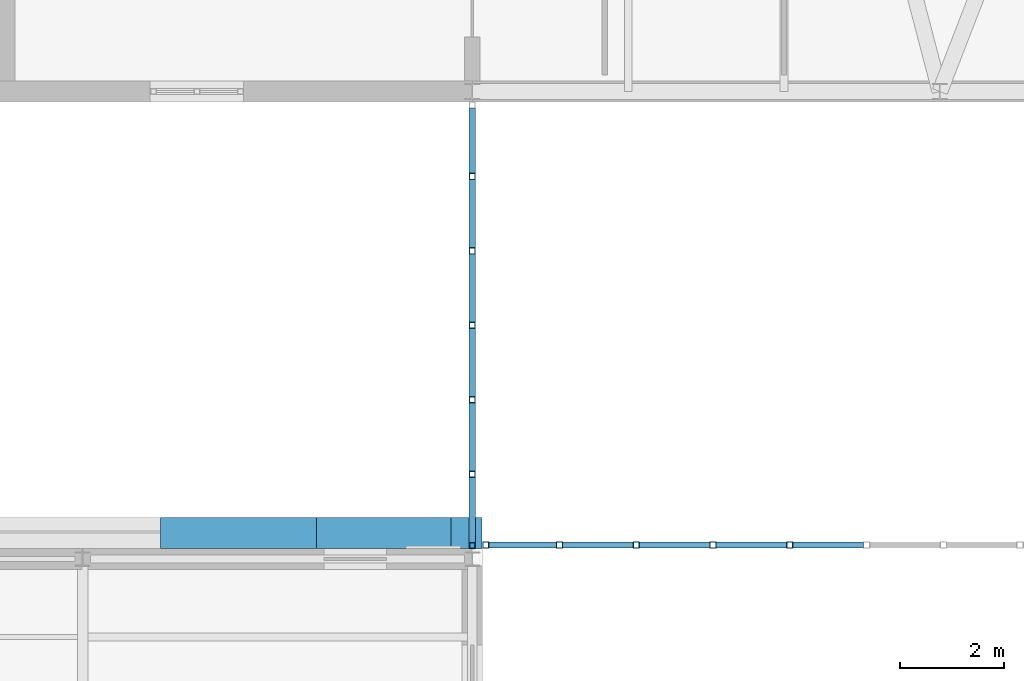
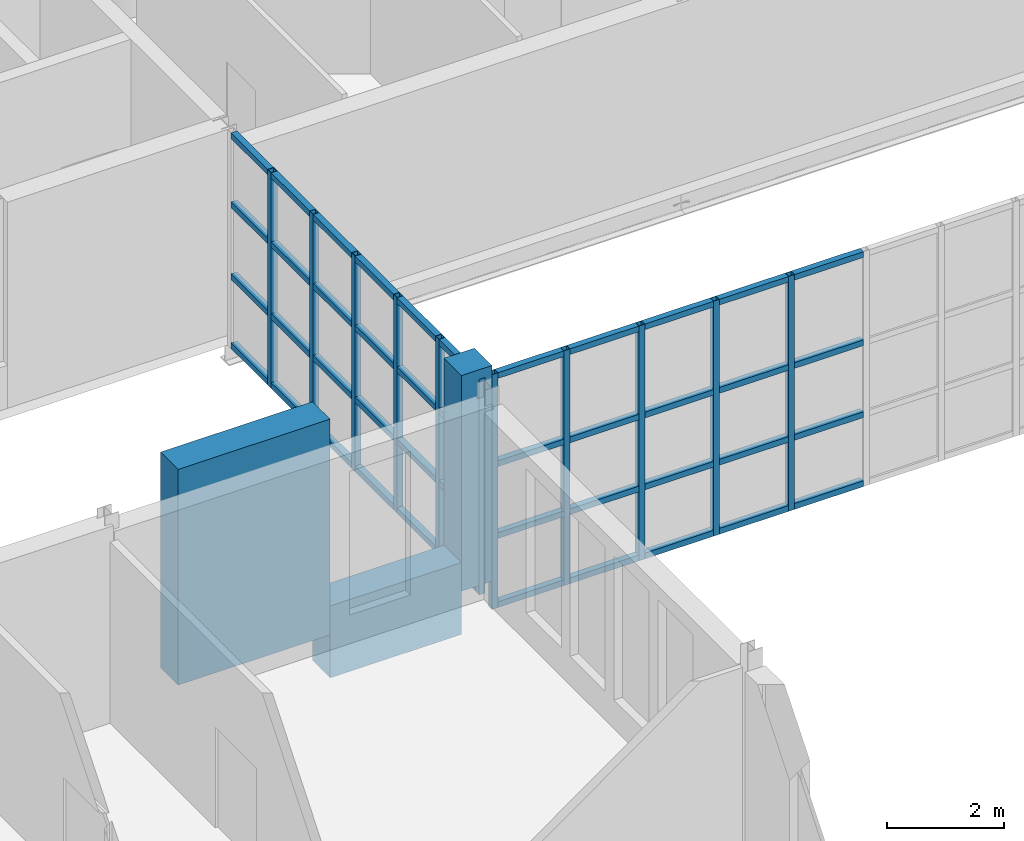
# One storey, part 42 of 134: 57 members, 1 beam, 2 elements without a shape of their own.
"""IFC4 building model written with IfcOpenShell, lengths in metres."""

from ifc_helpers import new_model, si_unit, direction, frame, origin, origin_2d, place, context, subcontext, project, spatial, rectangle, hollow_rectangle, extrude, material, material_profile, profile_set, type_object, element, aggregate, save


model = new_model("IFC4")

# Units and contexts
model_context = context("Model", 3, precision=1e-05, world=origin(), true_north=direction((0.0, 1.0)))
body_context = subcontext(model_context, "Body", "Model", "MODEL_VIEW")
ifc_project = project(units=[si_unit("LENGTHUNIT", "METRE"), si_unit("AREAUNIT", "SQUARE_METRE"), si_unit("VOLUMEUNIT", "CUBIC_METRE"), si_unit("PLANEANGLEUNIT", "RADIAN"), si_unit("MASSUNIT", "GRAM", prefix="KILO")], contexts=[model_context])

# Site, building, storey
site_placement = place(None, origin())
site = spatial("IfcSite", under=ifc_project, at=site_placement, CompositionType="ELEMENT")
building_placement = place(site_placement, origin())
building = spatial("IfcBuilding", under=site, at=building_placement, Name="Golden Quay Civic Hall", CompositionType="ELEMENT")
storey_placement = place(building_placement, frame((0.0, 0.0, 5.39990234375)))
storey = spatial("IfcBuildingStorey", under=building, at=storey_placement, Name="L01", CompositionType="ELEMENT", Elevation=5.39990234375)

# Curtain wall, members
ifc_material_1 = material(Name="Fire-resisting glass and steel", Category="steel")
curtain_wall_type_1 = type_object("IfcCurtainWallType", Name="Fire-resisting glazed curtain wall EI 120", PredefinedType="NOTDEFINED", material=ifc_material_1)
curtain_wall_1_placement = place(storey_placement, origin())
curtain_wall_1 = element("IfcCurtainWall", 1, at=curtain_wall_1_placement, inside=storey, type_object=curtain_wall_type_1, Name="CW3 curtain wall", PredefinedType="NOTDEFINED")
ifc_material_2 = material(Name="Steel S355", Category="steel")
ifc_material_profile_1 = material_profile(ifc_material_2, hollow_rectangle(XDim=0.1201171875, YDim=0.1201171875, WallThickness=0.008056640625, at=origin_2d()), Name="SHS 120x120x8")
ifc_profile_set_1 = profile_set([ifc_material_profile_1], Name="Steel S355")
member_type_1 = type_object("IfcMemberType", Name="Fire-resisting steel mullion SHS 120x120x8", PredefinedType="MULLION", material=ifc_profile_set_1)
member_1_placement = place(storey_placement, frame((72.260009765625, 54.27001953125, -0.599853515625), z_axis=(0.0, 0.0, 1.0), x_axis=(0.0, 1.0, 0.0)))
member_1 = element("IfcMember", 2, at=member_1_placement, type_object=member_type_1, Name="CW3 mullion 1", PredefinedType="MULLION", context=body_context, shape_type="SweptSolid", body=[
    extrude(hollow_rectangle(XDim=0.1201171875, YDim=0.1201171875, WallThickness=0.008056640625, at=origin_2d()), origin(), (0.0, 0.0, 1.0), 4.89990234375),
])
member_2_placement = place(storey_placement, frame((73.677734375, 54.27001953125, -0.599853515625), z_axis=(0.0, 0.0, 1.0), x_axis=(0.0, 1.0, 0.0)))
member_2 = element("IfcMember", 3, at=member_2_placement, type_object=member_type_1, Name="CW3 mullion 2", PredefinedType="MULLION", context=body_context, shape_type="SweptSolid", body=[
    extrude(hollow_rectangle(XDim=0.1201171875, YDim=0.1201171875, WallThickness=0.008056640625, at=origin_2d()), origin(), (0.0, 0.0, 1.0), 4.89990234375),
])
member_3_placement = place(storey_placement, frame((75.155517578125, 54.27001953125, -0.599853515625), z_axis=(0.0, 0.0, 1.0), x_axis=(0.0, 1.0, 0.0)))
member_3 = element("IfcMember", 4, at=member_3_placement, type_object=member_type_1, Name="CW3 mullion 3", PredefinedType="MULLION", context=body_context, shape_type="SweptSolid", body=[
    extrude(hollow_rectangle(XDim=0.1201171875, YDim=0.1201171875, WallThickness=0.008056640625, at=origin_2d()), origin(), (0.0, 0.0, 1.0), 4.89990234375),
])
member_4_placement = place(storey_placement, frame((76.63330078125, 54.27001953125, -0.599853515625), z_axis=(0.0, 0.0, 1.0), x_axis=(0.0, 1.0, 0.0)))
member_4 = element("IfcMember", 5, at=member_4_placement, type_object=member_type_1, Name="CW3 mullion 4", PredefinedType="MULLION", context=body_context, shape_type="SweptSolid", body=[
    extrude(hollow_rectangle(XDim=0.1201171875, YDim=0.1201171875, WallThickness=0.008056640625, at=origin_2d()), origin(), (0.0, 0.0, 1.0), 4.89990234375),
])
member_5_placement = place(storey_placement, frame((78.111083984375, 54.27001953125, -0.599853515625), z_axis=(0.0, 0.0, 1.0), x_axis=(0.0, 1.0, 0.0)))
member_5 = element("IfcMember", 6, at=member_5_placement, type_object=member_type_1, Name="CW3 mullion 5", PredefinedType="MULLION", context=body_context, shape_type="SweptSolid", body=[
    extrude(hollow_rectangle(XDim=0.1201171875, YDim=0.1201171875, WallThickness=0.008056640625, at=origin_2d()), origin(), (0.0, 0.0, 1.0), 4.89990234375),
])
ifc_material_3 = material(Name="Steel S355", Category="steel")
ifc_material_profile_2 = material_profile(ifc_material_3, hollow_rectangle(XDim=0.1201171875, YDim=0.1201171875, WallThickness=0.008056640625, at=origin_2d()), Name="SHS 120x120x8")
ifc_profile_set_2 = profile_set([ifc_material_profile_2], Name="Steel S355")
member_type_2 = type_object("IfcMemberType", Name="Fire-resisting steel transom SHS 120x120x8", PredefinedType="USERDEFINED", material=ifc_profile_set_2)
member_6_placement = place(storey_placement, frame((72.320068359375, 54.27001953125, -0.539794921875), z_axis=(1.0, 0.0, 0.0), x_axis=(0.0, 1.0, 0.0)))
member_6 = element("IfcMember", 7, at=member_6_placement, type_object=member_type_2, Name="CW3 transom 1.1", ObjectType="TRANSOM", PredefinedType="USERDEFINED", context=body_context, shape_type="SweptSolid", body=[
    extrude(hollow_rectangle(XDim=0.1201171875, YDim=0.1201171875, WallThickness=0.008056640625, at=origin_2d()), origin(), (0.0, 0.0, 1.0), 1.297607421875),
])
member_7_placement = place(storey_placement, frame((72.320068359375, 54.27001953125, 0.900146484375), z_axis=(1.0, 0.0, 0.0), x_axis=(0.0, 1.0, 0.0)))
member_7 = element("IfcMember", 8, at=member_7_placement, type_object=member_type_2, Name="CW3 transom 1.2", ObjectType="TRANSOM", PredefinedType="USERDEFINED", context=body_context, shape_type="SweptSolid", body=[
    extrude(hollow_rectangle(XDim=0.1201171875, YDim=0.1201171875, WallThickness=0.008056640625, at=origin_2d()), origin(), (0.0, 0.0, 1.0), 1.297607421875),
])
member_8_placement = place(storey_placement, frame((72.320068359375, 54.27001953125, 2.400146484375), z_axis=(1.0, 0.0, 0.0), x_axis=(0.0, 1.0, 0.0)))
member_8 = element("IfcMember", 9, at=member_8_placement, type_object=member_type_2, Name="CW3 transom 1.3", ObjectType="TRANSOM", PredefinedType="USERDEFINED", context=body_context, shape_type="SweptSolid", body=[
    extrude(hollow_rectangle(XDim=0.1201171875, YDim=0.1201171875, WallThickness=0.008056640625, at=origin_2d()), origin(), (0.0, 0.0, 1.0), 1.297607421875),
])
member_9_placement = place(storey_placement, frame((72.320068359375, 54.27001953125, 4.239990234375), z_axis=(1.0, 0.0, 0.0), x_axis=(0.0, 1.0, 0.0)))
member_9 = element("IfcMember", 10, at=member_9_placement, type_object=member_type_2, Name="CW3 transom 1.4", ObjectType="TRANSOM", PredefinedType="USERDEFINED", context=body_context, shape_type="SweptSolid", body=[
    extrude(hollow_rectangle(XDim=0.1201171875, YDim=0.1201171875, WallThickness=0.008056640625, at=origin_2d()), origin(), (0.0, 0.0, 1.0), 1.297607421875),
])
member_10_placement = place(storey_placement, frame((73.73779296875, 54.27001953125, -0.539794921875), z_axis=(1.0, 0.0, 0.0), x_axis=(0.0, 1.0, 0.0)))
member_10 = element("IfcMember", 11, at=member_10_placement, type_object=member_type_2, Name="CW3 transom 2.1", ObjectType="TRANSOM", PredefinedType="USERDEFINED", context=body_context, shape_type="SweptSolid", body=[
    extrude(hollow_rectangle(XDim=0.1201171875, YDim=0.1201171875, WallThickness=0.008056640625, at=origin_2d()), origin(), (0.0, 0.0, 1.0), 1.357666015625),
])
member_11_placement = place(storey_placement, frame((73.73779296875, 54.27001953125, 0.900146484375), z_axis=(1.0, 0.0, 0.0), x_axis=(0.0, 1.0, 0.0)))
member_11 = element("IfcMember", 12, at=member_11_placement, type_object=member_type_2, Name="CW3 transom 2.2", ObjectType="TRANSOM", PredefinedType="USERDEFINED", context=body_context, shape_type="SweptSolid", body=[
    extrude(hollow_rectangle(XDim=0.1201171875, YDim=0.1201171875, WallThickness=0.008056640625, at=origin_2d()), origin(), (0.0, 0.0, 1.0), 1.357666015625),
])
member_12_placement = place(storey_placement, frame((73.73779296875, 54.27001953125, 2.400146484375), z_axis=(1.0, 0.0, 0.0), x_axis=(0.0, 1.0, 0.0)))
member_12 = element("IfcMember", 13, at=member_12_placement, type_object=member_type_2, Name="CW3 transom 2.3", ObjectType="TRANSOM", PredefinedType="USERDEFINED", context=body_context, shape_type="SweptSolid", body=[
    extrude(hollow_rectangle(XDim=0.1201171875, YDim=0.1201171875, WallThickness=0.008056640625, at=origin_2d()), origin(), (0.0, 0.0, 1.0), 1.357666015625),
])
member_13_placement = place(storey_placement, frame((73.73779296875, 54.27001953125, 4.239990234375), z_axis=(1.0, 0.0, 0.0), x_axis=(0.0, 1.0, 0.0)))
member_13 = element("IfcMember", 14, at=member_13_placement, type_object=member_type_2, Name="CW3 transom 2.4", ObjectType="TRANSOM", PredefinedType="USERDEFINED", context=body_context, shape_type="SweptSolid", body=[
    extrude(hollow_rectangle(XDim=0.1201171875, YDim=0.1201171875, WallThickness=0.008056640625, at=origin_2d()), origin(), (0.0, 0.0, 1.0), 1.357666015625),
])
member_14_placement = place(storey_placement, frame((75.215576171875, 54.27001953125, -0.539794921875), z_axis=(1.0, 0.0, 0.0), x_axis=(0.0, 1.0, 0.0)))
member_14 = element("IfcMember", 15, at=member_14_placement, type_object=member_type_2, Name="CW3 transom 3.1", ObjectType="TRANSOM", PredefinedType="USERDEFINED", context=body_context, shape_type="SweptSolid", body=[
    extrude(hollow_rectangle(XDim=0.1201171875, YDim=0.1201171875, WallThickness=0.008056640625, at=origin_2d()), origin(), (0.0, 0.0, 1.0), 1.357666015625),
])
member_15_placement = place(storey_placement, frame((75.215576171875, 54.27001953125, 0.900146484375), z_axis=(1.0, 0.0, 0.0), x_axis=(0.0, 1.0, 0.0)))
member_15 = element("IfcMember", 16, at=member_15_placement, type_object=member_type_2, Name="CW3 transom 3.2", ObjectType="TRANSOM", PredefinedType="USERDEFINED", context=body_context, shape_type="SweptSolid", body=[
    extrude(hollow_rectangle(XDim=0.1201171875, YDim=0.1201171875, WallThickness=0.008056640625, at=origin_2d()), origin(), (0.0, 0.0, 1.0), 1.357666015625),
])
member_16_placement = place(storey_placement, frame((75.215576171875, 54.27001953125, 2.400146484375), z_axis=(1.0, 0.0, 0.0), x_axis=(0.0, 1.0, 0.0)))
member_16 = element("IfcMember", 17, at=member_16_placement, type_object=member_type_2, Name="CW3 transom 3.3", ObjectType="TRANSOM", PredefinedType="USERDEFINED", context=body_context, shape_type="SweptSolid", body=[
    extrude(hollow_rectangle(XDim=0.1201171875, YDim=0.1201171875, WallThickness=0.008056640625, at=origin_2d()), origin(), (0.0, 0.0, 1.0), 1.357666015625),
])
member_17_placement = place(storey_placement, frame((75.215576171875, 54.27001953125, 4.239990234375), z_axis=(1.0, 0.0, 0.0), x_axis=(0.0, 1.0, 0.0)))
member_17 = element("IfcMember", 18, at=member_17_placement, type_object=member_type_2, Name="CW3 transom 3.4", ObjectType="TRANSOM", PredefinedType="USERDEFINED", context=body_context, shape_type="SweptSolid", body=[
    extrude(hollow_rectangle(XDim=0.1201171875, YDim=0.1201171875, WallThickness=0.008056640625, at=origin_2d()), origin(), (0.0, 0.0, 1.0), 1.357666015625),
])
member_18_placement = place(storey_placement, frame((76.693359375, 54.27001953125, -0.539794921875), z_axis=(1.0, 0.0, 0.0), x_axis=(0.0, 1.0, 0.0)))
member_18 = element("IfcMember", 19, at=member_18_placement, type_object=member_type_2, Name="CW3 transom 4.1", ObjectType="TRANSOM", PredefinedType="USERDEFINED", context=body_context, shape_type="SweptSolid", body=[
    extrude(hollow_rectangle(XDim=0.1201171875, YDim=0.1201171875, WallThickness=0.008056640625, at=origin_2d()), origin(), (0.0, 0.0, 1.0), 1.357666015625),
])
member_19_placement = place(storey_placement, frame((76.693359375, 54.27001953125, 0.900146484375), z_axis=(1.0, 0.0, 0.0), x_axis=(0.0, 1.0, 0.0)))
member_19 = element("IfcMember", 20, at=member_19_placement, type_object=member_type_2, Name="CW3 transom 4.2", ObjectType="TRANSOM", PredefinedType="USERDEFINED", context=body_context, shape_type="SweptSolid", body=[
    extrude(hollow_rectangle(XDim=0.1201171875, YDim=0.1201171875, WallThickness=0.008056640625, at=origin_2d()), origin(), (0.0, 0.0, 1.0), 1.357666015625),
])
member_20_placement = place(storey_placement, frame((76.693359375, 54.27001953125, 2.400146484375), z_axis=(1.0, 0.0, 0.0), x_axis=(0.0, 1.0, 0.0)))
member_20 = element("IfcMember", 21, at=member_20_placement, type_object=member_type_2, Name="CW3 transom 4.3", ObjectType="TRANSOM", PredefinedType="USERDEFINED", context=body_context, shape_type="SweptSolid", body=[
    extrude(hollow_rectangle(XDim=0.1201171875, YDim=0.1201171875, WallThickness=0.008056640625, at=origin_2d()), origin(), (0.0, 0.0, 1.0), 1.357666015625),
])
member_21_placement = place(storey_placement, frame((76.693359375, 54.27001953125, 4.239990234375), z_axis=(1.0, 0.0, 0.0), x_axis=(0.0, 1.0, 0.0)))
member_21 = element("IfcMember", 22, at=member_21_placement, type_object=member_type_2, Name="CW3 transom 4.4", ObjectType="TRANSOM", PredefinedType="USERDEFINED", context=body_context, shape_type="SweptSolid", body=[
    extrude(hollow_rectangle(XDim=0.1201171875, YDim=0.1201171875, WallThickness=0.008056640625, at=origin_2d()), origin(), (0.0, 0.0, 1.0), 1.357666015625),
])
member_22_placement = place(storey_placement, frame((78.171142578125, 54.27001953125, -0.539794921875), z_axis=(1.0, 0.0, 0.0), x_axis=(0.0, 1.0, 0.0)))
member_22 = element("IfcMember", 23, at=member_22_placement, type_object=member_type_2, Name="CW3 transom 5.1", ObjectType="TRANSOM", PredefinedType="USERDEFINED", context=body_context, shape_type="SweptSolid", body=[
    extrude(hollow_rectangle(XDim=0.1201171875, YDim=0.1201171875, WallThickness=0.008056640625, at=origin_2d()), origin(), (0.0, 0.0, 1.0), 1.357666015625),
])
member_23_placement = place(storey_placement, frame((78.171142578125, 54.27001953125, 0.900146484375), z_axis=(1.0, 0.0, 0.0), x_axis=(0.0, 1.0, 0.0)))
member_23 = element("IfcMember", 24, at=member_23_placement, type_object=member_type_2, Name="CW3 transom 5.2", ObjectType="TRANSOM", PredefinedType="USERDEFINED", context=body_context, shape_type="SweptSolid", body=[
    extrude(hollow_rectangle(XDim=0.1201171875, YDim=0.1201171875, WallThickness=0.008056640625, at=origin_2d()), origin(), (0.0, 0.0, 1.0), 1.357666015625),
])
member_24_placement = place(storey_placement, frame((78.171142578125, 54.27001953125, 2.400146484375), z_axis=(1.0, 0.0, 0.0), x_axis=(0.0, 1.0, 0.0)))
member_24 = element("IfcMember", 25, at=member_24_placement, type_object=member_type_2, Name="CW3 transom 5.3", ObjectType="TRANSOM", PredefinedType="USERDEFINED", context=body_context, shape_type="SweptSolid", body=[
    extrude(hollow_rectangle(XDim=0.1201171875, YDim=0.1201171875, WallThickness=0.008056640625, at=origin_2d()), origin(), (0.0, 0.0, 1.0), 1.357666015625),
])
member_25_placement = place(storey_placement, frame((78.171142578125, 54.27001953125, 4.239990234375), z_axis=(1.0, 0.0, 0.0), x_axis=(0.0, 1.0, 0.0)))
member_25 = element("IfcMember", 26, at=member_25_placement, type_object=member_type_2, Name="CW3 transom 5.4", ObjectType="TRANSOM", PredefinedType="USERDEFINED", context=body_context, shape_type="SweptSolid", body=[
    extrude(hollow_rectangle(XDim=0.1201171875, YDim=0.1201171875, WallThickness=0.008056640625, at=origin_2d()), origin(), (0.0, 0.0, 1.0), 1.357666015625),
])
aggregate(curtain_wall_1, [member_1, member_2, member_3, member_4, member_5, member_6, member_7, member_8, member_9, member_10, member_11, member_12, member_13, member_14, member_15, member_16, member_17, member_18, member_19, member_20, member_21, member_22, member_23, member_24, member_25])

# Members
ifc_material_4 = material(Name="Concrete C40/50", Category="concrete")
ifc_material_profile_3 = material_profile(ifc_material_4, rectangle(XDim=3.0, YDim=0.60009765625, at=origin_2d()), Name="RC 3000x600")
ifc_profile_set_3 = profile_set([ifc_material_profile_3], Name="Concrete C40/50")
member_type_3 = type_object("IfcMemberType", Name="Precast concrete facade pier 3000 x 600", PredefinedType="POST", material=ifc_profile_set_3)
member_26_placement = place(storey_placement, frame((67.5, 54.5, 0.0), z_axis=(0.0, 0.0, 1.0), x_axis=(1.0, 0.0, 0.0)))
element("IfcMember", 27, at=member_26_placement, inside=storey, type_object=member_type_3, Name="Precast concrete facade pier 3000 x 600 L01 23", PredefinedType="POST", context=body_context, shape_type="SweptSolid", body=[
    extrude(rectangle(XDim=3.0, YDim=0.60009765625, at=origin_2d()), origin(), (0.0, 0.0, 1.0), 4.5),
])
ifc_material_5 = material(Name="Concrete C40/50", Category="concrete")
ifc_material_profile_4 = material_profile(ifc_material_5, rectangle(XDim=0.60009765625, YDim=0.60009765625, at=origin_2d()), Name="RC 600x600")
ifc_profile_set_4 = profile_set([ifc_material_profile_4], Name="Concrete C40/50")
member_type_4 = type_object("IfcMemberType", Name="Precast concrete facade post 600 x 600", PredefinedType="POST", material=ifc_profile_set_4)
member_27_placement = place(storey_placement, frame((71.889892578125, 54.5, 0.0), z_axis=(0.0, 0.0, 1.0), x_axis=(1.0, 0.0, 0.0)))
element("IfcMember", 28, at=member_27_placement, inside=storey, type_object=member_type_4, Name="Precast concrete facade post 600 x 600 L01 8", PredefinedType="POST", context=body_context, shape_type="SweptSolid", body=[
    extrude(rectangle(XDim=0.60009765625, YDim=0.60009765625, at=origin_2d()), origin(), (0.0, 0.0, 1.0), 4.5),
])

# Beam
ifc_material_6 = material(Name="Concrete C40/50", Category="concrete")
ifc_material_profile_5 = material_profile(ifc_material_6, rectangle(XDim=0.60009765625, YDim=1.5, at=origin_2d()), Name="RC 600x1500")
ifc_profile_set_5 = profile_set([ifc_material_profile_5], Name="Concrete C40/50")
beam_type = type_object("IfcBeamType", Name="Precast concrete spandrel beam 600 x 1500", PredefinedType="SPANDREL", material=ifc_profile_set_5)
beam_placement = place(storey_placement, frame((69.0, 54.5, -0.14990234375), z_axis=(1.0, 0.0, 0.0), x_axis=(0.0, 1.0, 0.0)))
element("IfcBeam", 29, at=beam_placement, inside=storey, type_object=beam_type, Name="Precast concrete spandrel beam 600 x 1500 L01 19", PredefinedType="SPANDREL", context=body_context, shape_type="SweptSolid", body=[
    extrude(rectangle(XDim=0.60009765625, YDim=1.5, at=origin_2d()), origin(), (0.0, 0.0, 1.0), 2.590087890625),
])

# Curtain wall, members
ifc_material_7 = material(Name="Glass and aluminium", Category="aluminium")
curtain_wall_type_2 = type_object("IfcCurtainWallType", Name="Glazed curtain wall 1500 module", PredefinedType="NOTDEFINED", material=ifc_material_7)
curtain_wall_2_placement = place(storey_placement, origin())
curtain_wall_2 = element("IfcCurtainWall", 30, at=curtain_wall_2_placement, inside=storey, type_object=curtain_wall_type_2, Name="CW1 curtain wall", PredefinedType="NOTDEFINED")
ifc_material_8 = material(Name="Steel S355", Category="steel")
ifc_material_profile_6 = material_profile(ifc_material_8, hollow_rectangle(XDim=0.1201171875, YDim=0.1201171875, WallThickness=0.008056640625, at=origin_2d()), Name="SHS 120x120x8")
ifc_profile_set_6 = profile_set([ifc_material_profile_6], Name="Steel S355")
member_type_5 = type_object("IfcMemberType", Name="Steel mullion SHS 120x120x8", PredefinedType="MULLION", material=ifc_profile_set_6)
member_28_placement = place(storey_placement, frame((72.0, 54.260009765625, -0.199951171875), z_axis=(0.0, 0.0, 1.0), x_axis=(-1.0, 0.0, 0.0)))
member_28 = element("IfcMember", 31, at=member_28_placement, type_object=member_type_5, Name="CW1 mullion 1", PredefinedType="MULLION", context=body_context, shape_type="SweptSolid", body=[
    extrude(hollow_rectangle(XDim=0.1201171875, YDim=0.1201171875, WallThickness=0.008056640625, at=origin_2d()), origin(), (0.0, 0.0, 1.0), 4.5),
])
member_29_placement = place(storey_placement, frame((72.0, 55.63330078125, -0.199951171875), z_axis=(0.0, 0.0, 1.0), x_axis=(-1.0, 0.0, 0.0)))
member_29 = element("IfcMember", 32, at=member_29_placement, type_object=member_type_5, Name="CW1 mullion 2", PredefinedType="MULLION", context=body_context, shape_type="SweptSolid", body=[
    extrude(hollow_rectangle(XDim=0.1201171875, YDim=0.1201171875, WallThickness=0.008056640625, at=origin_2d()), origin(), (0.0, 0.0, 1.0), 4.5),
])
member_30_placement = place(storey_placement, frame((72.0, 57.066650390625, -0.199951171875), z_axis=(0.0, 0.0, 1.0), x_axis=(-1.0, 0.0, 0.0)))
member_30 = element("IfcMember", 33, at=member_30_placement, type_object=member_type_5, Name="CW1 mullion 3", PredefinedType="MULLION", context=body_context, shape_type="SweptSolid", body=[
    extrude(hollow_rectangle(XDim=0.1201171875, YDim=0.1201171875, WallThickness=0.008056640625, at=origin_2d()), origin(), (0.0, 0.0, 1.0), 4.5),
])
member_31_placement = place(storey_placement, frame((72.0, 58.5, -0.199951171875), z_axis=(0.0, 0.0, 1.0), x_axis=(-1.0, 0.0, 0.0)))
member_31 = element("IfcMember", 34, at=member_31_placement, type_object=member_type_5, Name="CW1 mullion 4", PredefinedType="MULLION", context=body_context, shape_type="SweptSolid", body=[
    extrude(hollow_rectangle(XDim=0.1201171875, YDim=0.1201171875, WallThickness=0.008056640625, at=origin_2d()), origin(), (0.0, 0.0, 1.0), 4.5),
])
member_32_placement = place(storey_placement, frame((72.0, 59.933349609375, -0.199951171875), z_axis=(0.0, 0.0, 1.0), x_axis=(-1.0, 0.0, 0.0)))
member_32 = element("IfcMember", 35, at=member_32_placement, type_object=member_type_5, Name="CW1 mullion 5", PredefinedType="MULLION", context=body_context, shape_type="SweptSolid", body=[
    extrude(hollow_rectangle(XDim=0.1201171875, YDim=0.1201171875, WallThickness=0.008056640625, at=origin_2d()), origin(), (0.0, 0.0, 1.0), 4.5),
])
member_33_placement = place(storey_placement, frame((72.0, 61.36669921875, -0.199951171875), z_axis=(0.0, 0.0, 1.0), x_axis=(-1.0, 0.0, 0.0)))
member_33 = element("IfcMember", 36, at=member_33_placement, type_object=member_type_5, Name="CW1 mullion 6", PredefinedType="MULLION", context=body_context, shape_type="SweptSolid", body=[
    extrude(hollow_rectangle(XDim=0.1201171875, YDim=0.1201171875, WallThickness=0.008056640625, at=origin_2d()), origin(), (0.0, 0.0, 1.0), 4.5),
])
ifc_material_9 = material(Name="Steel S355", Category="steel")
ifc_material_profile_7 = material_profile(ifc_material_9, hollow_rectangle(XDim=0.1201171875, YDim=0.1201171875, WallThickness=0.008056640625, at=origin_2d()), Name="SHS 120x120x8")
ifc_profile_set_7 = profile_set([ifc_material_profile_7], Name="Steel S355")
member_type_6 = type_object("IfcMemberType", Name="Steel transom SHS 120x120x8", PredefinedType="USERDEFINED", material=ifc_profile_set_7)
member_34_placement = place(storey_placement, frame((72.0, 54.320068359375, -0.139892578125), z_axis=(0.0, 1.0, 0.0), x_axis=(-1.0, 0.0, 0.0)))
member_34 = element("IfcMember", 37, at=member_34_placement, type_object=member_type_6, Name="CW1 transom 1.1", ObjectType="TRANSOM", PredefinedType="USERDEFINED", context=body_context, shape_type="SweptSolid", body=[
    extrude(hollow_rectangle(XDim=0.1201171875, YDim=0.1201171875, WallThickness=0.008056640625, at=origin_2d()), origin(), (0.0, 0.0, 1.0), 1.253173828125),
])
member_35_placement = place(storey_placement, frame((72.0, 54.320068359375, 1.300048828125), z_axis=(0.0, 1.0, 0.0), x_axis=(-1.0, 0.0, 0.0)))
member_35 = element("IfcMember", 38, at=member_35_placement, type_object=member_type_6, Name="CW1 transom 1.2", ObjectType="TRANSOM", PredefinedType="USERDEFINED", context=body_context, shape_type="SweptSolid", body=[
    extrude(hollow_rectangle(XDim=0.1201171875, YDim=0.1201171875, WallThickness=0.008056640625, at=origin_2d()), origin(), (0.0, 0.0, 1.0), 1.253173828125),
])
member_36_placement = place(storey_placement, frame((72.0, 54.320068359375, 2.800048828125), z_axis=(0.0, 1.0, 0.0), x_axis=(-1.0, 0.0, 0.0)))
member_36 = element("IfcMember", 39, at=member_36_placement, type_object=member_type_6, Name="CW1 transom 1.3", ObjectType="TRANSOM", PredefinedType="USERDEFINED", context=body_context, shape_type="SweptSolid", body=[
    extrude(hollow_rectangle(XDim=0.1201171875, YDim=0.1201171875, WallThickness=0.008056640625, at=origin_2d()), origin(), (0.0, 0.0, 1.0), 1.253173828125),
])
member_37_placement = place(storey_placement, frame((72.0, 54.320068359375, 4.239990234375), z_axis=(0.0, 1.0, 0.0), x_axis=(-1.0, 0.0, 0.0)))
member_37 = element("IfcMember", 40, at=member_37_placement, type_object=member_type_6, Name="CW1 transom 1.4", ObjectType="TRANSOM", PredefinedType="USERDEFINED", context=body_context, shape_type="SweptSolid", body=[
    extrude(hollow_rectangle(XDim=0.1201171875, YDim=0.1201171875, WallThickness=0.008056640625, at=origin_2d()), origin(), (0.0, 0.0, 1.0), 1.253173828125),
])
member_38_placement = place(storey_placement, frame((72.0, 55.693359375, -0.139892578125), z_axis=(0.0, 1.0, 0.0), x_axis=(-1.0, 0.0, 0.0)))
member_38 = element("IfcMember", 41, at=member_38_placement, type_object=member_type_6, Name="CW1 transom 2.1", ObjectType="TRANSOM", PredefinedType="USERDEFINED", context=body_context, shape_type="SweptSolid", body=[
    extrude(hollow_rectangle(XDim=0.1201171875, YDim=0.1201171875, WallThickness=0.008056640625, at=origin_2d()), origin(), (0.0, 0.0, 1.0), 1.313232421875),
])
member_39_placement = place(storey_placement, frame((72.0, 55.693359375, 1.300048828125), z_axis=(0.0, 1.0, 0.0), x_axis=(-1.0, 0.0, 0.0)))
member_39 = element("IfcMember", 42, at=member_39_placement, type_object=member_type_6, Name="CW1 transom 2.2", ObjectType="TRANSOM", PredefinedType="USERDEFINED", context=body_context, shape_type="SweptSolid", body=[
    extrude(hollow_rectangle(XDim=0.1201171875, YDim=0.1201171875, WallThickness=0.008056640625, at=origin_2d()), origin(), (0.0, 0.0, 1.0), 1.313232421875),
])
member_40_placement = place(storey_placement, frame((72.0, 55.693359375, 2.800048828125), z_axis=(0.0, 1.0, 0.0), x_axis=(-1.0, 0.0, 0.0)))
member_40 = element("IfcMember", 43, at=member_40_placement, type_object=member_type_6, Name="CW1 transom 2.3", ObjectType="TRANSOM", PredefinedType="USERDEFINED", context=body_context, shape_type="SweptSolid", body=[
    extrude(hollow_rectangle(XDim=0.1201171875, YDim=0.1201171875, WallThickness=0.008056640625, at=origin_2d()), origin(), (0.0, 0.0, 1.0), 1.313232421875),
])
member_41_placement = place(storey_placement, frame((72.0, 55.693359375, 4.239990234375), z_axis=(0.0, 1.0, 0.0), x_axis=(-1.0, 0.0, 0.0)))
member_41 = element("IfcMember", 44, at=member_41_placement, type_object=member_type_6, Name="CW1 transom 2.4", ObjectType="TRANSOM", PredefinedType="USERDEFINED", context=body_context, shape_type="SweptSolid", body=[
    extrude(hollow_rectangle(XDim=0.1201171875, YDim=0.1201171875, WallThickness=0.008056640625, at=origin_2d()), origin(), (0.0, 0.0, 1.0), 1.313232421875),
])
member_42_placement = place(storey_placement, frame((72.0, 57.126708984375, -0.139892578125), z_axis=(0.0, 1.0, 0.0), x_axis=(-1.0, 0.0, 0.0)))
member_42 = element("IfcMember", 45, at=member_42_placement, type_object=member_type_6, Name="CW1 transom 3.1", ObjectType="TRANSOM", PredefinedType="USERDEFINED", context=body_context, shape_type="SweptSolid", body=[
    extrude(hollow_rectangle(XDim=0.1201171875, YDim=0.1201171875, WallThickness=0.008056640625, at=origin_2d()), origin(), (0.0, 0.0, 1.0), 1.313232421875),
])
member_43_placement = place(storey_placement, frame((72.0, 57.126708984375, 1.300048828125), z_axis=(0.0, 1.0, 0.0), x_axis=(-1.0, 0.0, 0.0)))
member_43 = element("IfcMember", 46, at=member_43_placement, type_object=member_type_6, Name="CW1 transom 3.2", ObjectType="TRANSOM", PredefinedType="USERDEFINED", context=body_context, shape_type="SweptSolid", body=[
    extrude(hollow_rectangle(XDim=0.1201171875, YDim=0.1201171875, WallThickness=0.008056640625, at=origin_2d()), origin(), (0.0, 0.0, 1.0), 1.313232421875),
])
member_44_placement = place(storey_placement, frame((72.0, 57.126708984375, 2.800048828125), z_axis=(0.0, 1.0, 0.0), x_axis=(-1.0, 0.0, 0.0)))
member_44 = element("IfcMember", 47, at=member_44_placement, type_object=member_type_6, Name="CW1 transom 3.3", ObjectType="TRANSOM", PredefinedType="USERDEFINED", context=body_context, shape_type="SweptSolid", body=[
    extrude(hollow_rectangle(XDim=0.1201171875, YDim=0.1201171875, WallThickness=0.008056640625, at=origin_2d()), origin(), (0.0, 0.0, 1.0), 1.313232421875),
])
member_45_placement = place(storey_placement, frame((72.0, 57.126708984375, 4.239990234375), z_axis=(0.0, 1.0, 0.0), x_axis=(-1.0, 0.0, 0.0)))
member_45 = element("IfcMember", 48, at=member_45_placement, type_object=member_type_6, Name="CW1 transom 3.4", ObjectType="TRANSOM", PredefinedType="USERDEFINED", context=body_context, shape_type="SweptSolid", body=[
    extrude(hollow_rectangle(XDim=0.1201171875, YDim=0.1201171875, WallThickness=0.008056640625, at=origin_2d()), origin(), (0.0, 0.0, 1.0), 1.313232421875),
])
member_46_placement = place(storey_placement, frame((72.0, 58.56005859375, -0.139892578125), z_axis=(0.0, 1.0, 0.0), x_axis=(-1.0, 0.0, 0.0)))
member_46 = element("IfcMember", 49, at=member_46_placement, type_object=member_type_6, Name="CW1 transom 4.1", ObjectType="TRANSOM", PredefinedType="USERDEFINED", context=body_context, shape_type="SweptSolid", body=[
    extrude(hollow_rectangle(XDim=0.1201171875, YDim=0.1201171875, WallThickness=0.008056640625, at=origin_2d()), origin(), (0.0, 0.0, 1.0), 1.313232421875),
])
member_47_placement = place(storey_placement, frame((72.0, 58.56005859375, 1.300048828125), z_axis=(0.0, 1.0, 0.0), x_axis=(-1.0, 0.0, 0.0)))
member_47 = element("IfcMember", 50, at=member_47_placement, type_object=member_type_6, Name="CW1 transom 4.2", ObjectType="TRANSOM", PredefinedType="USERDEFINED", context=body_context, shape_type="SweptSolid", body=[
    extrude(hollow_rectangle(XDim=0.1201171875, YDim=0.1201171875, WallThickness=0.008056640625, at=origin_2d()), origin(), (0.0, 0.0, 1.0), 1.313232421875),
])
member_48_placement = place(storey_placement, frame((72.0, 58.56005859375, 2.800048828125), z_axis=(0.0, 1.0, 0.0), x_axis=(-1.0, 0.0, 0.0)))
member_48 = element("IfcMember", 51, at=member_48_placement, type_object=member_type_6, Name="CW1 transom 4.3", ObjectType="TRANSOM", PredefinedType="USERDEFINED", context=body_context, shape_type="SweptSolid", body=[
    extrude(hollow_rectangle(XDim=0.1201171875, YDim=0.1201171875, WallThickness=0.008056640625, at=origin_2d()), origin(), (0.0, 0.0, 1.0), 1.313232421875),
])
member_49_placement = place(storey_placement, frame((72.0, 58.56005859375, 4.239990234375), z_axis=(0.0, 1.0, 0.0), x_axis=(-1.0, 0.0, 0.0)))
member_49 = element("IfcMember", 52, at=member_49_placement, type_object=member_type_6, Name="CW1 transom 4.4", ObjectType="TRANSOM", PredefinedType="USERDEFINED", context=body_context, shape_type="SweptSolid", body=[
    extrude(hollow_rectangle(XDim=0.1201171875, YDim=0.1201171875, WallThickness=0.008056640625, at=origin_2d()), origin(), (0.0, 0.0, 1.0), 1.313232421875),
])
member_50_placement = place(storey_placement, frame((72.0, 59.993408203125, -0.139892578125), z_axis=(0.0, 1.0, 0.0), x_axis=(-1.0, 0.0, 0.0)))
member_50 = element("IfcMember", 53, at=member_50_placement, type_object=member_type_6, Name="CW1 transom 5.1", ObjectType="TRANSOM", PredefinedType="USERDEFINED", context=body_context, shape_type="SweptSolid", body=[
    extrude(hollow_rectangle(XDim=0.1201171875, YDim=0.1201171875, WallThickness=0.008056640625, at=origin_2d()), origin(), (0.0, 0.0, 1.0), 1.313232421875),
])
member_51_placement = place(storey_placement, frame((72.0, 59.993408203125, 1.300048828125), z_axis=(0.0, 1.0, 0.0), x_axis=(-1.0, 0.0, 0.0)))
member_51 = element("IfcMember", 54, at=member_51_placement, type_object=member_type_6, Name="CW1 transom 5.2", ObjectType="TRANSOM", PredefinedType="USERDEFINED", context=body_context, shape_type="SweptSolid", body=[
    extrude(hollow_rectangle(XDim=0.1201171875, YDim=0.1201171875, WallThickness=0.008056640625, at=origin_2d()), origin(), (0.0, 0.0, 1.0), 1.313232421875),
])
member_52_placement = place(storey_placement, frame((72.0, 59.993408203125, 2.800048828125), z_axis=(0.0, 1.0, 0.0), x_axis=(-1.0, 0.0, 0.0)))
member_52 = element("IfcMember", 55, at=member_52_placement, type_object=member_type_6, Name="CW1 transom 5.3", ObjectType="TRANSOM", PredefinedType="USERDEFINED", context=body_context, shape_type="SweptSolid", body=[
    extrude(hollow_rectangle(XDim=0.1201171875, YDim=0.1201171875, WallThickness=0.008056640625, at=origin_2d()), origin(), (0.0, 0.0, 1.0), 1.313232421875),
])
member_53_placement = place(storey_placement, frame((72.0, 59.993408203125, 4.239990234375), z_axis=(0.0, 1.0, 0.0), x_axis=(-1.0, 0.0, 0.0)))
member_53 = element("IfcMember", 56, at=member_53_placement, type_object=member_type_6, Name="CW1 transom 5.4", ObjectType="TRANSOM", PredefinedType="USERDEFINED", context=body_context, shape_type="SweptSolid", body=[
    extrude(hollow_rectangle(XDim=0.1201171875, YDim=0.1201171875, WallThickness=0.008056640625, at=origin_2d()), origin(), (0.0, 0.0, 1.0), 1.313232421875),
])
member_54_placement = place(storey_placement, frame((72.0, 61.4267578125, -0.139892578125), z_axis=(0.0, 1.0, 0.0), x_axis=(-1.0, 0.0, 0.0)))
member_54 = element("IfcMember", 57, at=member_54_placement, type_object=member_type_6, Name="CW1 transom 6.1", ObjectType="TRANSOM", PredefinedType="USERDEFINED", context=body_context, shape_type="SweptSolid", body=[
    extrude(hollow_rectangle(XDim=0.1201171875, YDim=0.1201171875, WallThickness=0.008056640625, at=origin_2d()), origin(), (0.0, 0.0, 1.0), 1.253173828125),
])
member_55_placement = place(storey_placement, frame((72.0, 61.4267578125, 1.300048828125), z_axis=(0.0, 1.0, 0.0), x_axis=(-1.0, 0.0, 0.0)))
member_55 = element("IfcMember", 58, at=member_55_placement, type_object=member_type_6, Name="CW1 transom 6.2", ObjectType="TRANSOM", PredefinedType="USERDEFINED", context=body_context, shape_type="SweptSolid", body=[
    extrude(hollow_rectangle(XDim=0.1201171875, YDim=0.1201171875, WallThickness=0.008056640625, at=origin_2d()), origin(), (0.0, 0.0, 1.0), 1.253173828125),
])
member_56_placement = place(storey_placement, frame((72.0, 61.4267578125, 2.800048828125), z_axis=(0.0, 1.0, 0.0), x_axis=(-1.0, 0.0, 0.0)))
member_56 = element("IfcMember", 59, at=member_56_placement, type_object=member_type_6, Name="CW1 transom 6.3", ObjectType="TRANSOM", PredefinedType="USERDEFINED", context=body_context, shape_type="SweptSolid", body=[
    extrude(hollow_rectangle(XDim=0.1201171875, YDim=0.1201171875, WallThickness=0.008056640625, at=origin_2d()), origin(), (0.0, 0.0, 1.0), 1.253173828125),
])
member_57_placement = place(storey_placement, frame((72.0, 61.4267578125, 4.239990234375), z_axis=(0.0, 1.0, 0.0), x_axis=(-1.0, 0.0, 0.0)))
member_57 = element("IfcMember", 60, at=member_57_placement, type_object=member_type_6, Name="CW1 transom 6.4", ObjectType="TRANSOM", PredefinedType="USERDEFINED", context=body_context, shape_type="SweptSolid", body=[
    extrude(hollow_rectangle(XDim=0.1201171875, YDim=0.1201171875, WallThickness=0.008056640625, at=origin_2d()), origin(), (0.0, 0.0, 1.0), 1.253173828125),
])
aggregate(curtain_wall_2, [member_28, member_29, member_30, member_31, member_32, member_33, member_34, member_35, member_36, member_37, member_38, member_39, member_40, member_41, member_42, member_43, member_44, member_45, member_46, member_47, member_48, member_49, member_50, member_51, member_52, member_53, member_54, member_55, member_56, member_57])

save(model, "model.ifc")
